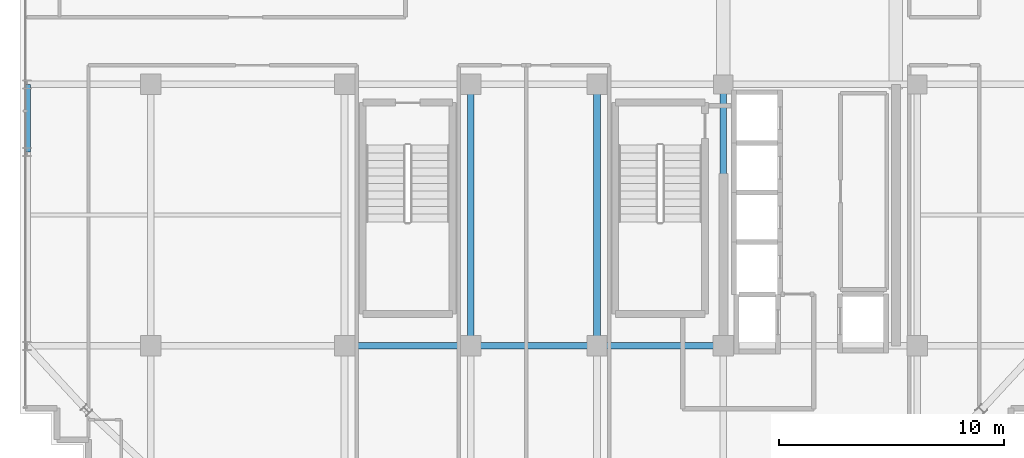
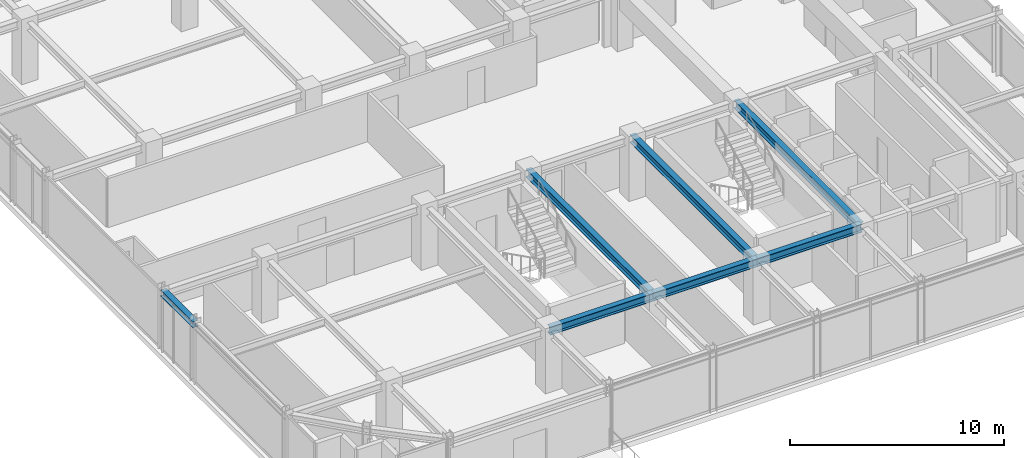
# One storey, part 8 of 32: 7 beams.
"""IFC4 building model written with IfcOpenShell, lengths in metres."""

from ifc_helpers import new_model, si_unit, direction, frame, origin, origin_2d, place, context, subcontext, project, spatial, i_section, extrude, source, transform, mapped, material, material_profile, profile_set, type_object, element, save


model = new_model("IFC4")

# Units and contexts
model_context = context("Model", 3, precision=1e-05, world=origin(), true_north=direction((0.0, 1.0)))
body_context = subcontext(model_context, "Body", "Model", "MODEL_VIEW")
ifc_project = project(units=[si_unit("LENGTHUNIT", "METRE"), si_unit("AREAUNIT", "SQUARE_METRE"), si_unit("VOLUMEUNIT", "CUBIC_METRE"), si_unit("PLANEANGLEUNIT", "RADIAN"), si_unit("MASSUNIT", "GRAM", prefix="KILO")], contexts=[model_context])

# Site, building, storey
site_placement = place(None, origin())
site = spatial("IfcSite", under=ifc_project, at=site_placement, CompositionType="ELEMENT")
building_placement = place(site_placement, origin())
building = spatial("IfcBuilding", under=site, at=building_placement, Name="Nahalor Promenade Grand Hotel", CompositionType="ELEMENT")
storey_placement = place(building_placement, frame((0.0, 0.0, 285.050048828125)))
storey = spatial("IfcBuildingStorey", under=building, at=storey_placement, Name="L73", CompositionType="ELEMENT", Elevation=285.050048828125)

# Beams
ifc_material = material(Name="Steel S355JR", Category="steel")
ifc_material_profile_1 = material_profile(ifc_material, i_section(OverallWidth=0.3, OverallDepth=0.45, WebThickness=0.014, FlangeThickness=0.026, at=origin_2d()), Name="HEB 450")
ifc_profile_set_1 = profile_set([ifc_material_profile_1], Name="Steel S355JR")
beam_type_1 = type_object("IfcBeamType", Name="Beam-Girder-HEB450", PredefinedType="BEAM", material=ifc_profile_set_1)
shared_shape_1 = source(origin(), body_context, "Body", "SweptSolid", [
    extrude(i_section(OverallWidth=0.3, OverallDepth=0.45, WebThickness=0.014, FlangeThickness=0.026, at=origin_2d()), origin(), (0.0, 0.0, 1.0), 5.599853515625),
])
for number, where, z_axis, x_axis, name in (
    (1, (-8.39990234375, -17.0, 3.224853515625), (1.0, 0.0, 0.0), (0.0, 1.0, 0.0), "BM-L73-GX-0-2"),
    (2, (2.800048828125, -17.0, 3.224853515625), (1.0, 0.0, 0.0), (0.0, 1.0, 0.0), "BM-L73-GX-0-4"),
):
    element("IfcBeam", number, at=place(storey_placement, frame(where, z_axis=z_axis, x_axis=x_axis)), inside=storey, type_object=beam_type_1, Name=name, PredefinedType="BEAM", context=body_context, shape_type="MappedRepresentation", body=[
        mapped(shared_shape_1, transform((0.0, 0.0, 0.0), scale=1.0)),
    ])
shared_shape_2 = source(origin(), body_context, "Body", "SweptSolid", [
    extrude(i_section(OverallWidth=0.3, OverallDepth=0.45, WebThickness=0.014, FlangeThickness=0.026, at=origin_2d()), origin(), (0.0, 0.0, 1.0), 5.60009765625),
])
beam_1_placement = place(storey_placement, frame((-2.800048828125, -17.0, 3.224853515625), z_axis=(1.0, 0.0, 0.0), x_axis=(0.0, 1.0, 0.0)))
element("IfcBeam", 3, at=beam_1_placement, inside=storey, type_object=beam_type_1, Name="BM-L73-GX-0-3", PredefinedType="BEAM", context=body_context, shape_type="MappedRepresentation", body=[
    mapped(shared_shape_2, transform((0.0, 0.0, 0.0), scale=1.0)),
])
shared_shape_3 = source(origin(), body_context, "Body", "SweptSolid", [
    extrude(i_section(OverallWidth=0.3, OverallDepth=0.45, WebThickness=0.014, FlangeThickness=0.026, at=origin_2d()), origin(), (0.0, 0.0, 1.0), 11.60009765625),
])
for number, where, z_axis, x_axis, name in (
    (4, (-2.800048828125, -17.0, 3.224853515625), (0.0, 1.0, 0.0), (-1.0, 0.0, 0.0), "BM-L73-GY-2-1"),
    (5, (2.800048828125, -17.0, 3.224853515625), (0.0, 1.0, 0.0), (-1.0, 0.0, 0.0), "BM-L73-GY-3-1"),
    (6, (8.39990234375, -17.0, 3.224853515625), (0.0, 1.0, 0.0), (-1.0, 0.0, 0.0), "BM-L73-GY-4-1"),
):
    element("IfcBeam", number, at=place(storey_placement, frame(where, z_axis=z_axis, x_axis=x_axis)), inside=storey, type_object=beam_type_1, Name=name, PredefinedType="BEAM", context=body_context, shape_type="MappedRepresentation", body=[
        mapped(shared_shape_3, transform((0.0, 0.0, 0.0), scale=1.0)),
    ])
ifc_material_profile_2 = material_profile(ifc_material, i_section(OverallWidth=0.3, OverallDepth=0.36, WebThickness=0.0125, FlangeThickness=0.0225, at=origin_2d()), Name="HEB 360")
ifc_profile_set_2 = profile_set([ifc_material_profile_2], Name="Steel S355JR")
beam_type_2 = type_object("IfcBeamType", Name="Beam-Spandrel-HEB360", PredefinedType="SPANDREL", material=ifc_profile_set_2)
shared_shape_4 = source(origin(), body_context, "Body", "SweptSolid", [
    extrude(i_section(OverallWidth=0.3, OverallDepth=0.36, WebThickness=0.0125, FlangeThickness=0.0225, at=origin_2d()), origin(), (0.0, 0.0, 1.0), 3.0),
])
beam_2_placement = place(storey_placement, frame((-22.47998046875, -8.39990234375, 3.27001953125), z_axis=(0.0, 1.0, 0.0), x_axis=(-1.0, 0.0, 0.0)))
element("IfcBeam", 7, at=beam_2_placement, inside=storey, type_object=beam_type_2, Name="BM-L73-SP-W-1", PredefinedType="SPANDREL", context=body_context, shape_type="MappedRepresentation", body=[
    mapped(shared_shape_4, transform((0.0, 0.0, 0.0), scale=1.0)),
])

save(model, "model.ifc")
